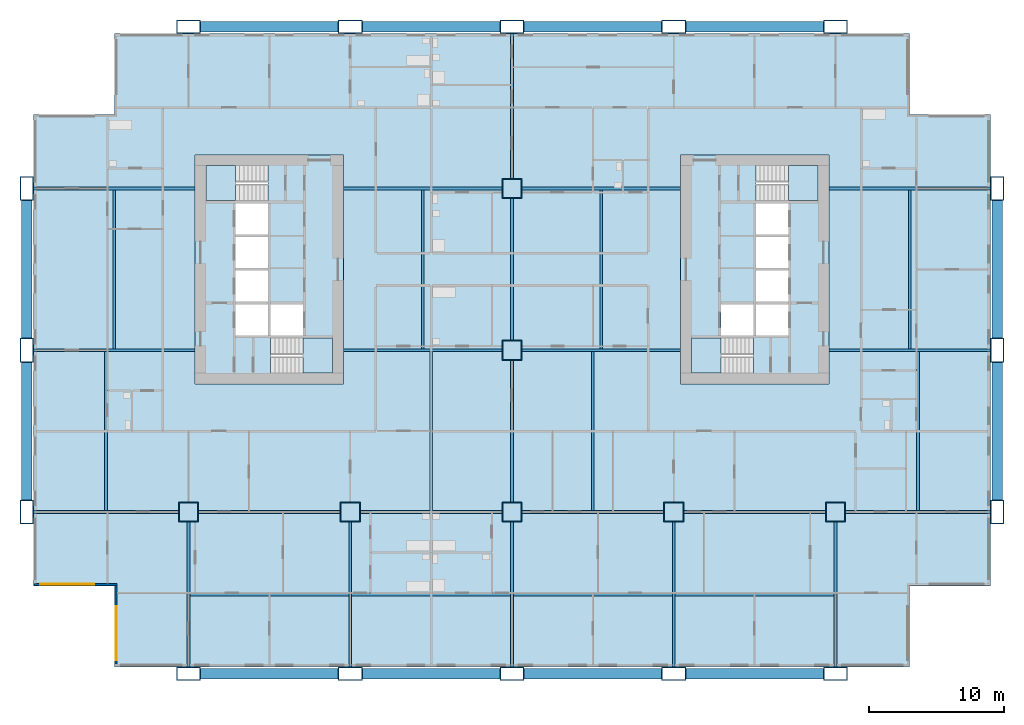
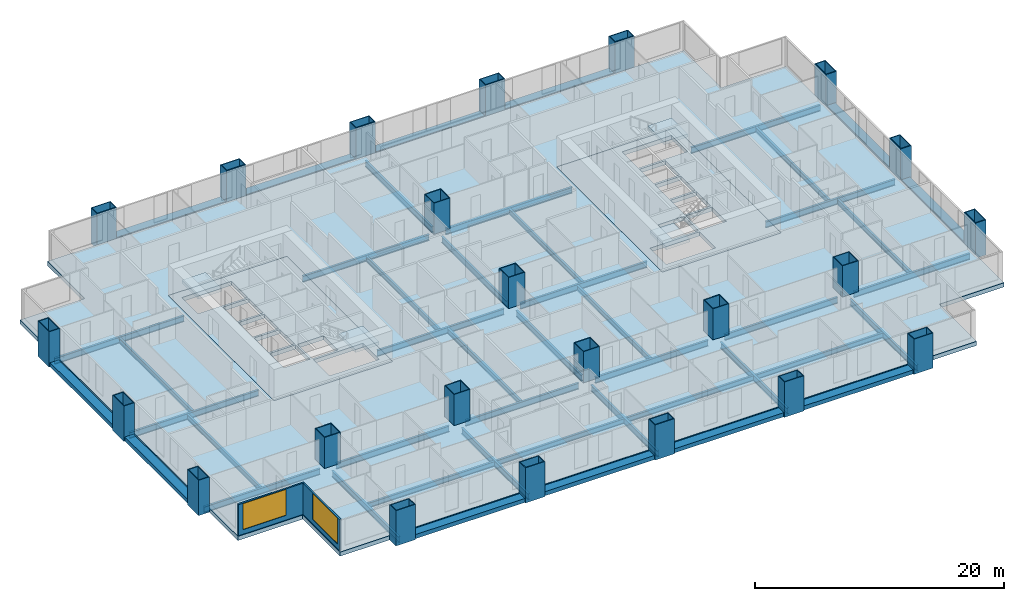
# One storey, part 1 of 14: 46 beams, 23 columns, 7 slabs, 2 walls, 2 windows, 2 openings, 4 elements without a shape of their own.
"""IFC4 building model written with IfcOpenShell, lengths in metres."""

from ifc_helpers import new_model, si_unit, direction, frame, frame_2d, origin, origin_2d, place, context, subcontext, project, spatial, polyline, rectangle, hollow_rectangle, i_section, outline, extrude, material, layer, layer_set, material_profile, profile_set, type_object, element, fill, aggregate, save


model = new_model("IFC4")

# Units and contexts
model_context = context("Model", 3, precision=1e-05, world=origin(), true_north=direction((0.0, 1.0)))
body_context = subcontext(model_context, "Body", "Model", "MODEL_VIEW")
ifc_project = project(units=[si_unit("LENGTHUNIT", "METRE"), si_unit("AREAUNIT", "SQUARE_METRE"), si_unit("VOLUMEUNIT", "CUBIC_METRE"), si_unit("PLANEANGLEUNIT", "RADIAN"), si_unit("MASSUNIT", "GRAM", prefix="KILO")], contexts=[model_context])

# Site, building, storey
site_placement = place(None, origin())
site = spatial("IfcSite", under=ifc_project, at=site_placement, CompositionType="ELEMENT")
building_placement = place(site_placement, origin())
building = spatial("IfcBuilding", under=site, at=building_placement, Name="Kitamizu Gate Tower and Museum", CompositionType="ELEMENT")
storey_placement = place(building_placement, frame((0.0, 0.0, 43.800048828125)))
storey = spatial("IfcBuildingStorey", under=building, at=storey_placement, Name="L09", CompositionType="ELEMENT", Elevation=43.800048828125)

# Columns
ifc_material_1 = material(Name="Steel SM490A bronze coated", Category="steel")
ifc_material_profile_1 = material_profile(ifc_material_1, hollow_rectangle(XDim=1.800048828125, YDim=1.0, WallThickness=0.070068359375, at=origin_2d()), Name="BOX 1800x1000x70")
ifc_profile_set_1 = profile_set([ifc_material_profile_1], Name="Steel SM490A bronze coated")
column_type_1 = type_object("IfcColumnType", Name="Exoskeleton column XC2 BOX 1800x1000x70", PredefinedType="COLUMN", material=ifc_profile_set_1)
for number, where, z_axis, x_axis, name in (
    (1, (0.0, 12.0, -0.400146484375), (0.0, 0.0, 1.0), (0.0, 1.0, 0.0), "Column XC2 1B L09"),
    (2, (0.0, 24.0, -0.400146484375), (0.0, 0.0, 1.0), (0.0, 1.0, 0.0), "Column XC2 1C L09"),
    (3, (0.0, 36.0, -0.400146484375), (0.0, 0.0, 1.0), (0.0, 1.0, 0.0), "Column XC2 1D L09"),
    (4, (12.0, 0.0, -0.400146484375), (0.0, 0.0, 1.0), (1.0, 0.0, 0.0), "Column XC2 2A L09"),
    (5, (12.0, 48.0, -0.400146484375), (0.0, 0.0, 1.0), (1.0, 0.0, 0.0), "Column XC2 2E L09"),
    (6, (24.0, 0.0, -0.400146484375), (0.0, 0.0, 1.0), (1.0, 0.0, 0.0), "Column XC2 3A L09"),
    (7, (24.0, 48.0, -0.400146484375), (0.0, 0.0, 1.0), (1.0, 0.0, 0.0), "Column XC2 3E L09"),
    (8, (36.0, 0.0, -0.400146484375), (0.0, 0.0, 1.0), (1.0, 0.0, 0.0), "Column XC2 4A L09"),
    (9, (36.0, 48.0, -0.400146484375), (0.0, 0.0, 1.0), (1.0, 0.0, 0.0), "Column XC2 4E L09"),
    (10, (48.0, 0.0, -0.400146484375), (0.0, 0.0, 1.0), (1.0, 0.0, 0.0), "Column XC2 5A L09"),
    (11, (48.0, 48.0, -0.400146484375), (0.0, 0.0, 1.0), (1.0, 0.0, 0.0), "Column XC2 5E L09"),
    (12, (60.0, 0.0, -0.400146484375), (0.0, 0.0, 1.0), (1.0, 0.0, 0.0), "Column XC2 6A L09"),
    (13, (60.0, 48.0, -0.400146484375), (0.0, 0.0, 1.0), (1.0, 0.0, 0.0), "Column XC2 6E L09"),
    (14, (72.0, 12.0, -0.400146484375), (0.0, 0.0, 1.0), (0.0, 1.0, 0.0), "Column XC2 7B L09"),
    (15, (72.0, 24.0, -0.400146484375), (0.0, 0.0, 1.0), (0.0, 1.0, 0.0), "Column XC2 7C L09"),
    (16, (72.0, 36.0, -0.400146484375), (0.0, 0.0, 1.0), (0.0, 1.0, 0.0), "Column XC2 7D L09"),
):
    element("IfcColumn", number, at=place(storey_placement, frame(where, z_axis=z_axis, x_axis=x_axis)), inside=storey, type_object=column_type_1, Name=name, PredefinedType="COLUMN", context=body_context, shape_type="SweptSolid", body=[
        extrude(hollow_rectangle(XDim=1.800048828125, YDim=1.0, WallThickness=0.070068359375, at=origin_2d()), origin(), (0.0, 0.0, 1.0), 3.4501953125),
    ])
ifc_material_2 = material(Name="Steel SM490A", Category="steel")
ifc_material_profile_2 = material_profile(ifc_material_2, hollow_rectangle(XDim=1.5, YDim=1.5, WallThickness=0.06494140625, at=origin_2d()), Name="BOX 1500x1500x65")
ifc_profile_set_2 = profile_set([ifc_material_profile_2], Name="Steel SM490A")
column_type_2 = type_object("IfcColumnType", Name="Interior column IC2 BOX 1500x1500x65", PredefinedType="COLUMN", material=ifc_profile_set_2)
for number, where, z_axis, x_axis, name in (
    (17, (12.0, 12.0, 0.0), (0.0, 0.0, 1.0), (1.0, 0.0, 0.0), "Column IC2 2B L09"),
    (18, (24.0, 12.0, 0.0), (0.0, 0.0, 1.0), (1.0, 0.0, 0.0), "Column IC2 3B L09"),
    (19, (36.0, 12.0, 0.0), (0.0, 0.0, 1.0), (1.0, 0.0, 0.0), "Column IC2 4B L09"),
    (20, (36.0, 24.0, 0.0), (0.0, 0.0, 1.0), (1.0, 0.0, 0.0), "Column IC2 4C L09"),
    (21, (36.0, 36.0, 0.0), (0.0, 0.0, 1.0), (1.0, 0.0, 0.0), "Column IC2 4D L09"),
    (22, (48.0, 12.0, 0.0), (0.0, 0.0, 1.0), (1.0, 0.0, 0.0), "Column IC2 5B L09"),
    (23, (60.0, 12.0, 0.0), (0.0, 0.0, 1.0), (1.0, 0.0, 0.0), "Column IC2 6B L09"),
):
    element("IfcColumn", number, at=place(storey_placement, frame(where, z_axis=z_axis, x_axis=x_axis)), inside=storey, type_object=column_type_2, Name=name, PredefinedType="COLUMN", context=body_context, shape_type="SweptSolid", body=[
        extrude(hollow_rectangle(XDim=1.5, YDim=1.5, WallThickness=0.06494140625, at=origin_2d()), origin(), (0.0, 0.0, 1.0), 3.050048828125),
    ])

# Beams
ifc_material_3 = material(Name="Steel SM490A bronze coated", Category="steel")
ifc_material_profile_3 = material_profile(ifc_material_3, hollow_rectangle(XDim=0.800048828125, YDim=0.39990234375, WallThickness=0.0400390625, at=origin_2d()), Name="BOX 800x400x40")
ifc_profile_set_3 = profile_set([ifc_material_profile_3], Name="Steel SM490A bronze coated")
beam_type_1 = type_object("IfcBeamType", Name="Exoskeleton spandrel beam SB1 BOX 800x400x40", PredefinedType="SPANDREL", material=ifc_profile_set_3)
for number, where, z_axis, x_axis, name in (
    (24, (12.89990234375, 0.0, -0.199951171875), (1.0, 0.0, 0.0), (0.0, 1.0, 0.0), "Exoskeleton spandrel beam south 12 L09"),
    (25, (24.89990234375, 0.0, -0.199951171875), (1.0, 0.0, 0.0), (0.0, 1.0, 0.0), "Exoskeleton spandrel beam south 24 L09"),
    (26, (36.89990234375, 0.0, -0.199951171875), (1.0, 0.0, 0.0), (0.0, 1.0, 0.0), "Exoskeleton spandrel beam south 36 L09"),
    (27, (48.89990234375, 0.0, -0.199951171875), (1.0, 0.0, 0.0), (0.0, 1.0, 0.0), "Exoskeleton spandrel beam south 48 L09"),
    (28, (12.89990234375, 48.0, -0.199951171875), (1.0, 0.0, 0.0), (0.0, 1.0, 0.0), "Exoskeleton spandrel beam north 12 L09"),
    (29, (24.89990234375, 48.0, -0.199951171875), (1.0, 0.0, 0.0), (0.0, 1.0, 0.0), "Exoskeleton spandrel beam north 24 L09"),
    (30, (36.89990234375, 48.0, -0.199951171875), (1.0, 0.0, 0.0), (0.0, 1.0, 0.0), "Exoskeleton spandrel beam north 36 L09"),
    (31, (48.89990234375, 48.0, -0.199951171875), (1.0, 0.0, 0.0), (0.0, 1.0, 0.0), "Exoskeleton spandrel beam north 48 L09"),
    (32, (0.0, 12.89990234375, -0.199951171875), (0.0, 1.0, 0.0), (-1.0, 0.0, 0.0), "Exoskeleton spandrel beam west 12 L09"),
    (33, (0.0, 24.89990234375, -0.199951171875), (0.0, 1.0, 0.0), (-1.0, 0.0, 0.0), "Exoskeleton spandrel beam west 24 L09"),
    (34, (72.0, 12.89990234375, -0.199951171875), (0.0, 1.0, 0.0), (-1.0, 0.0, 0.0), "Exoskeleton spandrel beam east 12 L09"),
    (35, (72.0, 24.89990234375, -0.199951171875), (0.0, 1.0, 0.0), (-1.0, 0.0, 0.0), "Exoskeleton spandrel beam east 24 L09"),
):
    element("IfcBeam", number, at=place(storey_placement, frame(where, z_axis=z_axis, x_axis=x_axis)), inside=storey, type_object=beam_type_1, Name=name, PredefinedType="SPANDREL", context=body_context, shape_type="SweptSolid", body=[
        extrude(hollow_rectangle(XDim=0.800048828125, YDim=0.39990234375, WallThickness=0.0400390625, at=origin_2d()), origin(), (0.0, 0.0, 1.0), 10.2001953125),
    ])
ifc_material_4 = material(Name="Steel SM490A", Category="steel")
ifc_material_profile_4 = material_profile(ifc_material_4, i_section(OverallWidth=0.199951171875, OverallDepth=0.5, WebThickness=0.010009765625, FlangeThickness=0.01611328125, FilletRadius=0.02001953125, at=origin_2d()), Name="H-500x200x10x16")
ifc_profile_set_4 = profile_set([ifc_material_profile_4], Name="Steel SM490A")
beam_type_2 = type_object("IfcBeamType", Name="Floor beam FB1 H 500x200x10x16", PredefinedType="BEAM", material=ifc_profile_set_4)
for number, where, z_axis, x_axis, name in (
    (36, (12.10009765625, 5.875, -0.650146484375), (1.0, 0.0, 0.0), (0.0, 1.0, 0.0), "Floor beam FB1 L09-1"),
    (37, (24.10009765625, 5.875, -0.650146484375), (1.0, 0.0, 0.0), (0.0, 1.0, 0.0), "Floor beam FB1 L09-2"),
    (38, (36.10009765625, 5.875, -0.650146484375), (1.0, 0.0, 0.0), (0.0, 1.0, 0.0), "Floor beam FB1 L09-3"),
    (39, (48.10009765625, 5.875, -0.650146484375), (1.0, 0.0, 0.0), (0.0, 1.0, 0.0), "Floor beam FB1 L09-4"),
    (40, (5.875, 12.10009765625, -0.650146484375), (0.0, 1.0, 0.0), (-1.0, 0.0, 0.0), "Floor beam FB1 L09-5"),
    (41, (30.0, 12.10009765625, -0.650146484375), (0.0, 1.0, 0.0), (-1.0, 0.0, 0.0), "Floor beam FB1 L09-6"),
    (42, (42.0, 12.10009765625, -0.650146484375), (0.0, 1.0, 0.0), (-1.0, 0.0, 0.0), "Floor beam FB1 L09-7"),
    (43, (66.125, 12.10009765625, -0.650146484375), (0.0, 1.0, 0.0), (-1.0, 0.0, 0.0), "Floor beam FB1 L09-8"),
    (44, (6.5, 24.10009765625, -0.650146484375), (0.0, 1.0, 0.0), (-1.0, 0.0, 0.0), "Floor beam FB1 L09-9"),
    (45, (29.375, 24.10009765625, -0.650146484375), (0.0, 1.0, 0.0), (-1.0, 0.0, 0.0), "Floor beam FB1 L09-10"),
    (46, (42.625, 24.10009765625, -0.650146484375), (0.0, 1.0, 0.0), (-1.0, 0.0, 0.0), "Floor beam FB1 L09-11"),
    (47, (65.5, 24.10009765625, -0.650146484375), (0.0, 1.0, 0.0), (-1.0, 0.0, 0.0), "Floor beam FB1 L09-12"),
):
    element("IfcBeam", number, at=place(storey_placement, frame(where, z_axis=z_axis, x_axis=x_axis)), inside=storey, type_object=beam_type_2, Name=name, PredefinedType="BEAM", context=body_context, shape_type="SweptSolid", body=[
        extrude(i_section(OverallWidth=0.199951171875, OverallDepth=0.5, WebThickness=0.010009765625, FlangeThickness=0.01611328125, FilletRadius=0.02001953125, at=origin_2d()), origin(), (0.0, 0.0, 1.0), 11.7998046875),
    ])
ifc_material_5 = material(Name="Steel SM490A", Category="steel")
ifc_material_profile_5 = material_profile(ifc_material_5, i_section(OverallWidth=0.199951171875, OverallDepth=0.60009765625, WebThickness=0.010986328125, FlangeThickness=0.01708984375, FilletRadius=0.02197265625, at=origin_2d()), Name="H-600x200x11x17")
ifc_profile_set_5 = profile_set([ifc_material_profile_5], Name="Steel SM490A")
beam_type_3 = type_object("IfcBeamType", Name="Floor girder FG1 H 600x200x11x17", PredefinedType="BEAM", material=ifc_profile_set_5)
for number, where, z_axis, x_axis, name in (
    (48, (12.0, 0.5, -0.699951171875), (0.0, 1.0, 0.0), (-1.0, 0.0, 0.0), "Floor girder FG1 x12 L09"),
    (49, (24.0, 0.5, -0.699951171875), (0.0, 1.0, 0.0), (-1.0, 0.0, 0.0), "Floor girder FG1 x24 L09"),
    (50, (36.0, 0.5, -0.699951171875), (0.0, 1.0, 0.0), (-1.0, 0.0, 0.0), "Floor girder FG1 x36 L09"),
):
    element("IfcBeam", number, at=place(storey_placement, frame(where, z_axis=z_axis, x_axis=x_axis)), inside=storey, type_object=beam_type_3, Name=name, PredefinedType="BEAM", context=body_context, shape_type="SweptSolid", body=[
        extrude(i_section(OverallWidth=0.199951171875, OverallDepth=0.60009765625, WebThickness=0.010986328125, FlangeThickness=0.01708984375, FilletRadius=0.02197265625, at=origin_2d()), origin(), (0.0, 0.0, 1.0), 10.75),
    ])
for number, where, z_axis, x_axis, name in (
    (51, (36.0, 12.75, -0.699951171875), (0.0, 1.0, 0.0), (-1.0, 0.0, 0.0), "Floor girder FG1 x36 L09"),
    (52, (36.0, 24.75, -0.699951171875), (0.0, 1.0, 0.0), (-1.0, 0.0, 0.0), "Floor girder FG1 x36 L09"),
):
    element("IfcBeam", number, at=place(storey_placement, frame(where, z_axis=z_axis, x_axis=x_axis)), inside=storey, type_object=beam_type_3, Name=name, PredefinedType="BEAM", context=body_context, shape_type="SweptSolid", body=[
        extrude(i_section(OverallWidth=0.199951171875, OverallDepth=0.60009765625, WebThickness=0.010986328125, FlangeThickness=0.01708984375, FilletRadius=0.02197265625, at=origin_2d()), origin(), (0.0, 0.0, 1.0), 10.5),
    ])
for number, where, z_axis, x_axis, name in (
    (53, (36.0, 36.75, -0.699951171875), (0.0, 1.0, 0.0), (-1.0, 0.0, 0.0), "Floor girder FG1 x36 L09"),
    (54, (48.0, 0.5, -0.699951171875), (0.0, 1.0, 0.0), (-1.0, 0.0, 0.0), "Floor girder FG1 x48 L09"),
    (55, (60.0, 0.5, -0.699951171875), (0.0, 1.0, 0.0), (-1.0, 0.0, 0.0), "Floor girder FG1 x60 L09"),
    (56, (0.5, 12.0, -0.699951171875), (1.0, 0.0, 0.0), (0.0, 1.0, 0.0), "Floor girder FG1 y12 L09"),
):
    element("IfcBeam", number, at=place(storey_placement, frame(where, z_axis=z_axis, x_axis=x_axis)), inside=storey, type_object=beam_type_3, Name=name, PredefinedType="BEAM", context=body_context, shape_type="SweptSolid", body=[
        extrude(i_section(OverallWidth=0.199951171875, OverallDepth=0.60009765625, WebThickness=0.010986328125, FlangeThickness=0.01708984375, FilletRadius=0.02197265625, at=origin_2d()), origin(), (0.0, 0.0, 1.0), 10.75),
    ])
for number, where, z_axis, x_axis, name in (
    (57, (12.75, 12.0, -0.699951171875), (1.0, 0.0, 0.0), (0.0, 1.0, 0.0), "Floor girder FG1 y12 L09"),
    (58, (24.75, 12.0, -0.699951171875), (1.0, 0.0, 0.0), (0.0, 1.0, 0.0), "Floor girder FG1 y12 L09"),
    (59, (36.75, 12.0, -0.699951171875), (1.0, 0.0, 0.0), (0.0, 1.0, 0.0), "Floor girder FG1 y12 L09"),
    (60, (48.75, 12.0, -0.699951171875), (1.0, 0.0, 0.0), (0.0, 1.0, 0.0), "Floor girder FG1 y12 L09"),
):
    element("IfcBeam", number, at=place(storey_placement, frame(where, z_axis=z_axis, x_axis=x_axis)), inside=storey, type_object=beam_type_3, Name=name, PredefinedType="BEAM", context=body_context, shape_type="SweptSolid", body=[
        extrude(i_section(OverallWidth=0.199951171875, OverallDepth=0.60009765625, WebThickness=0.010986328125, FlangeThickness=0.01708984375, FilletRadius=0.02197265625, at=origin_2d()), origin(), (0.0, 0.0, 1.0), 10.5),
    ])
beam_1_placement = place(storey_placement, frame((60.75, 12.0, -0.699951171875), z_axis=(1.0, 0.0, 0.0), x_axis=(0.0, 1.0, 0.0)))
element("IfcBeam", 61, at=beam_1_placement, inside=storey, type_object=beam_type_3, Name="Floor girder FG1 y12 L09", PredefinedType="BEAM", context=body_context, shape_type="SweptSolid", body=[
    extrude(i_section(OverallWidth=0.199951171875, OverallDepth=0.60009765625, WebThickness=0.010986328125, FlangeThickness=0.01708984375, FilletRadius=0.02197265625, at=origin_2d()), origin(), (0.0, 0.0, 1.0), 10.75),
])
beam_2_placement = place(storey_placement, frame((0.5, 24.0, -0.699951171875), z_axis=(1.0, 0.0, 0.0), x_axis=(0.0, 1.0, 0.0)))
element("IfcBeam", 62, at=beam_2_placement, inside=storey, type_object=beam_type_3, Name="Floor girder FG1 y24 L09", PredefinedType="BEAM", context=body_context, shape_type="SweptSolid", body=[
    extrude(i_section(OverallWidth=0.199951171875, OverallDepth=0.60009765625, WebThickness=0.010986328125, FlangeThickness=0.01708984375, FilletRadius=0.02197265625, at=origin_2d()), origin(), (0.0, 0.0, 1.0), 12.0),
])
for number, where, z_axis, x_axis, name in (
    (63, (23.5, 24.0, -0.699951171875), (1.0, 0.0, 0.0), (0.0, 1.0, 0.0), "Floor girder FG1 y24 L09"),
    (64, (36.75, 24.0, -0.699951171875), (1.0, 0.0, 0.0), (0.0, 1.0, 0.0), "Floor girder FG1 y24 L09"),
):
    element("IfcBeam", number, at=place(storey_placement, frame(where, z_axis=z_axis, x_axis=x_axis)), inside=storey, type_object=beam_type_3, Name=name, PredefinedType="BEAM", context=body_context, shape_type="SweptSolid", body=[
        extrude(i_section(OverallWidth=0.199951171875, OverallDepth=0.60009765625, WebThickness=0.010986328125, FlangeThickness=0.01708984375, FilletRadius=0.02197265625, at=origin_2d()), origin(), (0.0, 0.0, 1.0), 11.75),
    ])
for number, where, z_axis, x_axis, name in (
    (65, (59.5, 24.0, -0.699951171875), (1.0, 0.0, 0.0), (0.0, 1.0, 0.0), "Floor girder FG1 y24 L09"),
    (66, (0.5, 36.0, -0.699951171875), (1.0, 0.0, 0.0), (0.0, 1.0, 0.0), "Floor girder FG1 y36 L09"),
):
    element("IfcBeam", number, at=place(storey_placement, frame(where, z_axis=z_axis, x_axis=x_axis)), inside=storey, type_object=beam_type_3, Name=name, PredefinedType="BEAM", context=body_context, shape_type="SweptSolid", body=[
        extrude(i_section(OverallWidth=0.199951171875, OverallDepth=0.60009765625, WebThickness=0.010986328125, FlangeThickness=0.01708984375, FilletRadius=0.02197265625, at=origin_2d()), origin(), (0.0, 0.0, 1.0), 12.0),
    ])
for number, where, z_axis, x_axis, name in (
    (67, (23.5, 36.0, -0.699951171875), (1.0, 0.0, 0.0), (0.0, 1.0, 0.0), "Floor girder FG1 y36 L09"),
    (68, (36.75, 36.0, -0.699951171875), (1.0, 0.0, 0.0), (0.0, 1.0, 0.0), "Floor girder FG1 y36 L09"),
):
    element("IfcBeam", number, at=place(storey_placement, frame(where, z_axis=z_axis, x_axis=x_axis)), inside=storey, type_object=beam_type_3, Name=name, PredefinedType="BEAM", context=body_context, shape_type="SweptSolid", body=[
        extrude(i_section(OverallWidth=0.199951171875, OverallDepth=0.60009765625, WebThickness=0.010986328125, FlangeThickness=0.01708984375, FilletRadius=0.02197265625, at=origin_2d()), origin(), (0.0, 0.0, 1.0), 11.75),
    ])
beam_3_placement = place(storey_placement, frame((59.5, 36.0, -0.699951171875), z_axis=(1.0, 0.0, 0.0), x_axis=(0.0, 1.0, 0.0)))
element("IfcBeam", 69, at=beam_3_placement, inside=storey, type_object=beam_type_3, Name="Floor girder FG1 y36 L09", PredefinedType="BEAM", context=body_context, shape_type="SweptSolid", body=[
    extrude(i_section(OverallWidth=0.199951171875, OverallDepth=0.60009765625, WebThickness=0.010986328125, FlangeThickness=0.01708984375, FilletRadius=0.02197265625, at=origin_2d()), origin(), (0.0, 0.0, 1.0), 12.0),
])

# Slabs
ifc_material_6 = material(Name="Concrete Fc36", Category="concrete")
ifc_layer_1 = layer(ifc_material_6, 0.39990234375)
ifc_layer_set_1 = layer_set([ifc_layer_1], Name="Concrete Fc36")
slab_type_1 = type_object("IfcSlabType", Name="Core floor slab 400", PredefinedType="FLOOR", material=ifc_layer_set_1)
slab_1_placement = place(storey_placement, frame((0.0, 0.0, -0.400146484375)))
element("IfcSlab", 70, at=slab_1_placement, inside=storey, type_object=slab_type_1, Name="Core floor slab W", PredefinedType="FLOOR", context=body_context, shape_type="SweptSolid", body=[
    extrude(outline(polyline([(12.5, 21.5), (23.5, 21.5), (23.5, 38.5), (12.5, 38.5), (12.5, 21.5)]), holes=[polyline([(15.5, 25.10009765625), (17.89990234375, 25.10009765625), (17.89990234375, 27.39990234375), (15.5, 27.39990234375), (15.5, 25.10009765625)]), polyline([(15.5, 27.60009765625), (17.89990234375, 27.60009765625), (17.89990234375, 29.89990234375), (15.5, 29.89990234375), (15.5, 27.60009765625)]), polyline([(15.5, 30.10009765625), (17.89990234375, 30.10009765625), (17.89990234375, 32.39990234375), (15.5, 32.39990234375), (15.5, 30.10009765625)]), polyline([(15.5, 32.60009765625), (17.89990234375, 32.60009765625), (17.89990234375, 34.89990234375), (15.5, 34.89990234375), (15.5, 32.60009765625)]), polyline([(18.10009765625, 25.10009765625), (20.5, 25.10009765625), (20.5, 27.39990234375), (18.10009765625, 27.39990234375), (18.10009765625, 25.10009765625)]), polyline([(18.1005859375, 22.300048828125), (22.699951171875, 22.300048828125), (22.699951171875, 24.89990234375), (18.1005859375, 24.89990234375), (18.1005859375, 22.300048828125)]), polyline([(13.300048828125, 35.10009765625), (17.8994140625, 35.10009765625), (17.8994140625, 37.699951171875), (13.300048828125, 37.699951171875), (13.300048828125, 35.10009765625)])]), origin(), (0.0, 0.0, 1.0), 0.400146484375),
])
slab_2_placement = place(storey_placement, frame((0.0, 0.0, -0.400146484375)))
element("IfcSlab", 71, at=slab_2_placement, inside=storey, type_object=slab_type_1, Name="Core floor slab E", PredefinedType="FLOOR", context=body_context, shape_type="SweptSolid", body=[
    extrude(outline(polyline([(48.5, 21.5), (59.5, 21.5), (59.5, 38.5), (48.5, 38.5), (48.5, 21.5)]), holes=[polyline([(54.10009765625, 25.10009765625), (56.5, 25.10009765625), (56.5, 27.39990234375), (54.10009765625, 27.39990234375), (54.10009765625, 25.10009765625)]), polyline([(54.10009765625, 27.60009765625), (56.5, 27.60009765625), (56.5, 29.89990234375), (54.10009765625, 29.89990234375), (54.10009765625, 27.60009765625)]), polyline([(54.10009765625, 30.10009765625), (56.5, 30.10009765625), (56.5, 32.39990234375), (54.10009765625, 32.39990234375), (54.10009765625, 30.10009765625)]), polyline([(54.10009765625, 32.60009765625), (56.5, 32.60009765625), (56.5, 34.89990234375), (54.10009765625, 34.89990234375), (54.10009765625, 32.60009765625)]), polyline([(51.5, 25.10009765625), (53.89990234375, 25.10009765625), (53.89990234375, 27.39990234375), (51.5, 27.39990234375), (51.5, 25.10009765625)]), polyline([(49.300048828125, 22.300048828125), (53.8994140625, 22.300048828125), (53.8994140625, 24.89990234375), (49.300048828125, 24.89990234375), (49.300048828125, 22.300048828125)]), polyline([(54.1005859375, 35.10009765625), (58.699951171875, 35.10009765625), (58.699951171875, 37.699951171875), (54.1005859375, 37.699951171875), (54.1005859375, 35.10009765625)])]), origin(), (0.0, 0.0, 1.0), 0.400146484375),
])
ifc_material_7 = material(Name="Concrete Fc36", Category="concrete")
ifc_layer_2 = layer(ifc_material_7, 0.39990234375)
ifc_layer_set_2 = layer_set([ifc_layer_2], Name="Concrete Fc36")
slab_type_2 = type_object("IfcSlabType", Name="Post tensioned flat slab 400", PredefinedType="FLOOR", material=ifc_layer_set_2)
slab_3_placement = place(storey_placement, frame((0.0, 0.0, -0.400146484375)))
element("IfcSlab", 72, at=slab_3_placement, inside=storey, type_object=slab_type_2, Name="Floor slab L09-1", PredefinedType="FLOOR", context=body_context, shape_type="SweptSolid", body=[
    extrude(outline(polyline([(0.5, 6.5), (0.5, 41.5), (6.5, 41.5), (6.5, 47.5), (65.5, 47.5), (65.5, 41.5), (71.5, 41.5), (71.5, 6.5), (65.5, 6.5), (65.5, 0.5), (6.5, 0.5), (6.5, 6.5), (0.5, 6.5)]), holes=[polyline([(59.5, 38.5), (48.5, 38.5), (48.5, 21.5), (59.5, 21.5), (59.5, 38.5)]), polyline([(12.5, 38.5), (12.5, 21.5), (23.5, 21.5), (23.5, 38.5), (12.5, 38.5)])]), origin(), (0.0, 0.0, 1.0), 0.400146484375),
])

# Stair, slab
ifc_material_8 = material(Name="Concrete Fc42", Category="concrete")
stair_type = type_object("IfcStairType", Name="Exit stair 1200 wide 192 rise 300 going", PredefinedType="HALF_TURN_STAIR", material=ifc_material_8)
stair_1_placement = place(storey_placement, origin())
stair_1 = element("IfcStair", 73, at=stair_1_placement, inside=storey, type_object=stair_type, Name="Exit stair ST1", PredefinedType="HALF_TURN_STAIR")
ifc_material_9 = material(Name="Concrete Fc42", Category="concrete")
ifc_layer_3 = layer(ifc_material_9, 0.300048828125)
ifc_layer_set_3 = layer_set([ifc_layer_3], Name="Concrete Fc42")
slab_type_3 = type_object("IfcSlabType", Name="Stair landing 300", PredefinedType="LANDING", material=ifc_layer_set_3)
slab_4_placement = place(storey_placement, frame((0.0, 0.0, 1.425048828125)))
slab_4 = element("IfcSlab", 74, at=slab_4_placement, type_object=slab_type_3, Name="ST1 landing 1", PredefinedType="LANDING", context=body_context, shape_type="SweptSolid", body=[
    extrude(outline(polyline([(20.5, 22.300048828125), (22.699951171875, 22.300048828125), (22.699951171875, 24.89990234375), (20.5, 24.89990234375), (20.5, 22.300048828125)])), origin(), (0.0, 0.0, 1.0), 0.2998046875),
])
aggregate(stair_1, [slab_4])

stair_2_placement = place(storey_placement, origin())
stair_2 = element("IfcStair", 75, at=stair_2_placement, inside=storey, type_object=stair_type, Name="Exit stair ST2", PredefinedType="HALF_TURN_STAIR")
slab_5_placement = place(storey_placement, frame((0.0, 0.0, 1.425048828125)))
slab_5 = element("IfcSlab", 76, at=slab_5_placement, type_object=slab_type_3, Name="ST2 landing 1", PredefinedType="LANDING", context=body_context, shape_type="SweptSolid", body=[
    extrude(outline(polyline([(13.300048828125, 35.10009765625), (15.5, 35.10009765625), (15.5, 37.699951171875), (13.300048828125, 37.699951171875), (13.300048828125, 35.10009765625)])), origin(), (0.0, 0.0, 1.0), 0.2998046875),
])
aggregate(stair_2, [slab_5])

stair_3_placement = place(storey_placement, origin())
stair_3 = element("IfcStair", 77, at=stair_3_placement, inside=storey, type_object=stair_type, Name="Exit stair ST3", PredefinedType="HALF_TURN_STAIR")
slab_6_placement = place(storey_placement, frame((0.0, 0.0, 1.425048828125)))
slab_6 = element("IfcSlab", 78, at=slab_6_placement, type_object=slab_type_3, Name="ST3 landing 1", PredefinedType="LANDING", context=body_context, shape_type="SweptSolid", body=[
    extrude(outline(polyline([(49.300048828125, 22.300048828125), (51.5, 22.300048828125), (51.5, 24.89990234375), (49.300048828125, 24.89990234375), (49.300048828125, 22.300048828125)])), origin(), (0.0, 0.0, 1.0), 0.2998046875),
])
aggregate(stair_3, [slab_6])

stair_4_placement = place(storey_placement, origin())
stair_4 = element("IfcStair", 79, at=stair_4_placement, inside=storey, type_object=stair_type, Name="Exit stair ST4", PredefinedType="HALF_TURN_STAIR")
slab_7_placement = place(storey_placement, frame((0.0, 0.0, 1.425048828125)))
slab_7 = element("IfcSlab", 80, at=slab_7_placement, type_object=slab_type_3, Name="ST4 landing 1", PredefinedType="LANDING", context=body_context, shape_type="SweptSolid", body=[
    extrude(outline(polyline([(56.5, 35.10009765625), (58.699951171875, 35.10009765625), (58.699951171875, 37.699951171875), (56.5, 37.699951171875), (56.5, 35.10009765625)])), origin(), (0.0, 0.0, 1.0), 0.2998046875),
])
aggregate(stair_4, [slab_7])

# Wall, opening, window
ifc_material_10 = material(Name="Bronze anodised aluminium frame with insulated spandrel and tinted glass", Category="aluminium")
ifc_layer_4 = layer(ifc_material_10, 0.14990234375)
ifc_layer_set_4 = layer_set([ifc_layer_4], Name="Bronze anodised aluminium frame with insulated spandrel and tinted glass")
wall_type = type_object("IfcWallType", Name="WINDOW WALL 150 BRONZE FRAME EI 30", PredefinedType="ELEMENTEDWALL", material=ifc_layer_set_4)
wall_1_placement = place(storey_placement, frame((0.56005859375, 6.635009765625, 0.0), z_axis=(0.0, 0.0, 1.0), x_axis=(1.0, 0.0, 0.0)))
wall_1 = element("IfcWall", 81, at=wall_1_placement, inside=storey, type_object=wall_type, Name="Window wall south L09", PredefinedType="ELEMENTEDWALL", context=body_context, shape_type="SweptSolid", body=[
    extrude(rectangle(XDim=6.14990234375, YDim=0.14990234375, at=frame_2d((3.074951171875, 0.0))), origin(), (0.0, 0.0, 1.0), 3.050048828125),
])
opening_1_placement = place(wall_1_placement, frame((0.43994140625, 0.0, 0.449951171875)))
opening_1 = element("IfcOpeningElement", 82, at=opening_1_placement, cuts=wall_1, Name="Opening W16", PredefinedType="OPENING", context=body_context, shape_type="SweptSolid", body=[
    extrude(rectangle(XDim=4.0, YDim=2.550048828125, at=frame_2d((2.0, 1.27490234375))), frame((0.0, 0.0849609375, 0.0), z_axis=(0.0, -1.0, 0.0), x_axis=(1.0, 0.0, 0.0)), (0.0, 0.0, 1.0), 0.169921875),
])
ifc_material_11 = material(Name="Bronze anodised aluminium frame, tinted triple glazing", Category="aluminium")
window_type = type_object("IfcWindowType", Name="WINDOW 4000 x 2550 SILL 450", PartitioningType="SINGLE_PANEL", PredefinedType="WINDOW", material=ifc_material_11)
window_1_placement = place(opening_1_placement, origin())
window_1 = element("IfcWindow", 83, at=window_1_placement, inside=storey, type_object=window_type, Name="Window W16 L09", OverallHeight=2.550048828125, OverallWidth=4.0, PartitioningType="SINGLE_PANEL", PredefinedType="WINDOW", context=body_context, shape_type="SweptSolid", body=[
    extrude(rectangle(XDim=4.0, YDim=2.550048828125, at=frame_2d((2.0, 1.27490234375))), frame((0.0, 0.030029296875, 0.0), z_axis=(0.0, -1.0, 0.0), x_axis=(1.0, 0.0, 0.0)), (0.0, 0.0, 1.0), 0.06005859375),
])
fill(opening_1, window_1)

wall_2_placement = place(storey_placement, frame((6.635009765625, 0.7099609375, 0.0), z_axis=(0.0, 0.0, 1.0), x_axis=(0.0, 1.0, 0.0)))
wall_2 = element("IfcWall", 84, at=wall_2_placement, inside=storey, type_object=wall_type, Name="Window wall west L09", PredefinedType="ELEMENTEDWALL", context=body_context, shape_type="SweptSolid", body=[
    extrude(rectangle(XDim=5.85009765625, YDim=0.14990234375, at=frame_2d((2.925048828125, 0.0))), origin(), (0.0, 0.0, 1.0), 3.050048828125),
])
opening_2_placement = place(wall_2_placement, frame((0.2900390625, 0.0, 0.449951171875)))
opening_2 = element("IfcOpeningElement", 85, at=opening_2_placement, cuts=wall_2, Name="Opening W16", PredefinedType="OPENING", context=body_context, shape_type="SweptSolid", body=[
    extrude(rectangle(XDim=4.0, YDim=2.550048828125, at=frame_2d((2.0, 1.27490234375))), frame((0.0, 0.0849609375, 0.0), z_axis=(0.0, -1.0, 0.0), x_axis=(1.0, 0.0, 0.0)), (0.0, 0.0, 1.0), 0.169921875),
])
window_2_placement = place(opening_2_placement, origin())
window_2 = element("IfcWindow", 86, at=window_2_placement, inside=storey, type_object=window_type, Name="Window W16 L09", OverallHeight=2.550048828125, OverallWidth=4.0, PartitioningType="SINGLE_PANEL", PredefinedType="WINDOW", context=body_context, shape_type="SweptSolid", body=[
    extrude(rectangle(XDim=4.0, YDim=2.550048828125, at=frame_2d((2.0, 1.27490234375))), frame((0.0, 0.030029296875, 0.0), z_axis=(0.0, -1.0, 0.0), x_axis=(1.0, 0.0, 0.0)), (0.0, 0.0, 1.0), 0.06005859375),
])
fill(opening_2, window_2)

save(model, "model.ifc")
